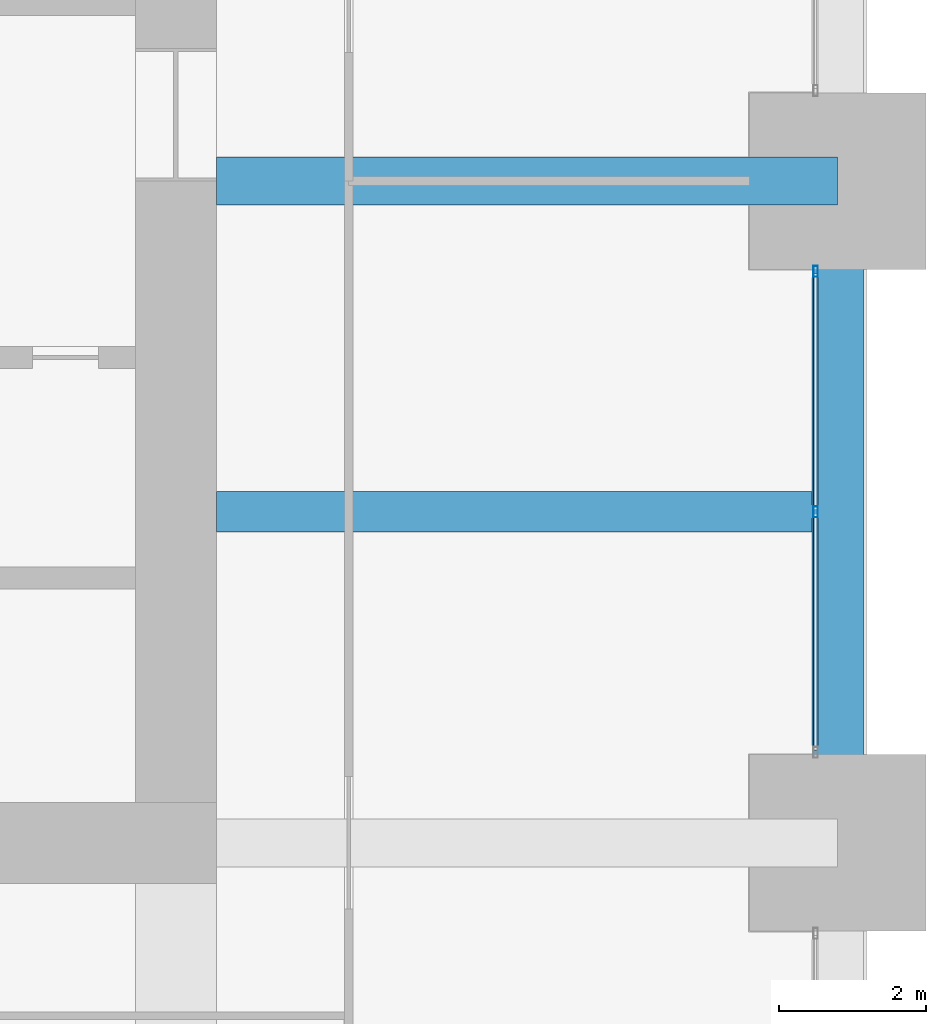
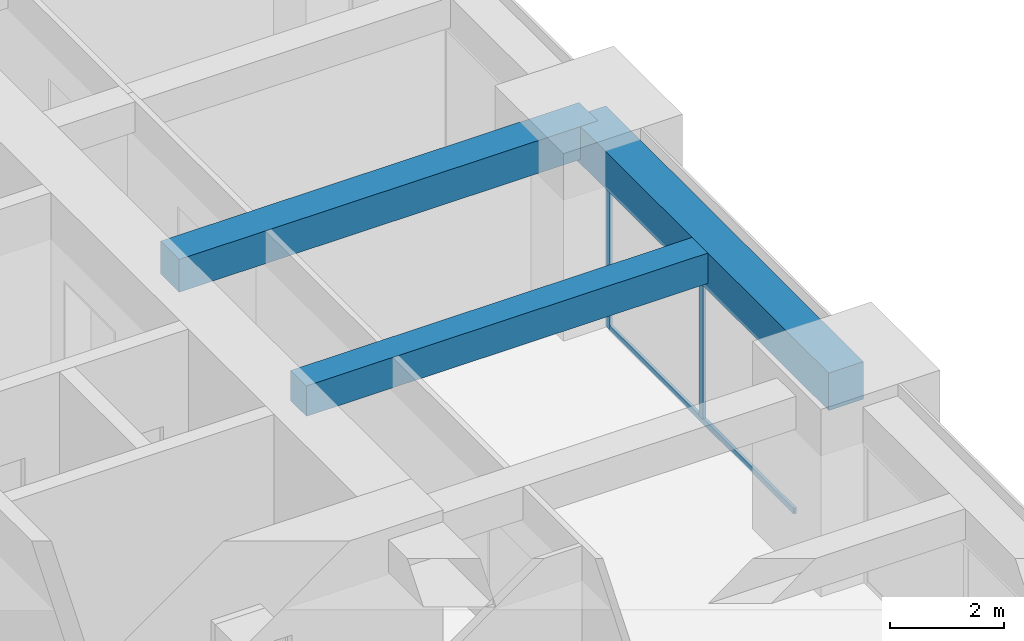
# One storey, part 18 of 33: 3 beams, 3 members, 1 element without a shape of its own.
"""IFC4 building model written with IfcOpenShell, lengths in metres."""

from ifc_helpers import new_model, si_unit, direction, frame, origin, origin_2d, place, context, subcontext, project, spatial, rectangle, hollow_rectangle, extrude, material, material_profile, profile_set, type_object, element, aggregate, save


model = new_model("IFC4")

# Units and contexts
model_context = context("Model", 3, precision=1e-05, world=origin(), true_north=direction((0.0, 1.0)))
body_context = subcontext(model_context, "Body", "Model", "MODEL_VIEW")
ifc_project = project(units=[si_unit("LENGTHUNIT", "METRE"), si_unit("AREAUNIT", "SQUARE_METRE"), si_unit("VOLUMEUNIT", "CUBIC_METRE"), si_unit("PLANEANGLEUNIT", "RADIAN"), si_unit("MASSUNIT", "GRAM", prefix="KILO")], contexts=[model_context])

# Site, building, storey
site_placement = place(None, origin())
site = spatial("IfcSite", under=ifc_project, at=site_placement, CompositionType="ELEMENT")
building_placement = place(site_placement, origin())
building = spatial("IfcBuilding", under=site, at=building_placement, Name="Zorevar Civic Tower", CompositionType="ELEMENT")
storey_placement = place(building_placement, frame((0.0, 0.0, 206.199951171875)))
storey = spatial("IfcBuildingStorey", under=building, at=storey_placement, Name="L50", CompositionType="ELEMENT", Elevation=206.199951171875)

# Beams
ifc_material_1 = material(Name="Concrete C50/60", Category="concrete")
ifc_material_profile_1 = material_profile(ifc_material_1, rectangle(XDim=0.550048828125, YDim=0.64990234375, at=origin_2d()), Name="RC 550x650")
ifc_profile_set_1 = profile_set([ifc_material_profile_1], Name="Concrete C50/60")
beam_type_1 = type_object("IfcBeamType", Name="Beam RC 550x650", PredefinedType="BEAM", material=ifc_profile_set_1)
beam_1_placement = place(storey_placement, frame((45.550048828125, 22.5, 3.425048828125), z_axis=(1.0, 0.0, 0.0), x_axis=(0.0, 1.0, 0.0)))
element("IfcBeam", 1, at=beam_1_placement, inside=storey, type_object=beam_type_1, Name="Secondary beam L51", PredefinedType="BEAM", context=body_context, shape_type="SweptSolid", body=[
    extrude(rectangle(XDim=0.550048828125, YDim=0.64990234375, at=origin_2d()), origin(), (0.0, 0.0, 1.0), 8.099853515625),
])
ifc_material_2 = material(Name="Concrete C50/60", Category="concrete")
ifc_material_profile_2 = material_profile(ifc_material_2, rectangle(XDim=0.64990234375, YDim=0.699951171875, at=origin_2d()), Name="RC 650x700")
ifc_profile_set_2 = profile_set([ifc_material_profile_2], Name="Concrete C50/60")
beam_type_2 = type_object("IfcBeamType", Name="Beam RC 650x700", PredefinedType="BEAM", material=ifc_profile_set_2)
beam_2_placement = place(storey_placement, frame((45.550048828125, 27.0, 3.400146484375), z_axis=(1.0, 0.0, 0.0), x_axis=(0.0, 1.0, 0.0)))
element("IfcBeam", 2, at=beam_2_placement, inside=storey, type_object=beam_type_2, Name="Girder L51", PredefinedType="BEAM", context=body_context, shape_type="SweptSolid", body=[
    extrude(rectangle(XDim=0.64990234375, YDim=0.699951171875, at=origin_2d()), origin(), (0.0, 0.0, 1.0), 8.449951171875),
])

# Curtain wall, members
ifc_material_3 = material(Name="Dark grey solar-control glass in black aluminium frame", Category="aluminium")
curtain_wall_type = type_object("IfcCurtainWallType", Name="Curtain wall CW4 high zone", PredefinedType="NOTDEFINED", material=ifc_material_3)
curtain_wall_placement = place(storey_placement, origin())
curtain_wall = element("IfcCurtainWall", 3, at=curtain_wall_placement, inside=storey, type_object=curtain_wall_type, Name="CW4 L50", PredefinedType="NOTDEFINED")
ifc_material_4 = material(Name="Aluminium, black anodised", Category="aluminium")
ifc_material_profile_3 = material_profile(ifc_material_4, hollow_rectangle(XDim=0.06005859375, YDim=0.14990234375, WallThickness=0.00390625, at=origin_2d()), Name="AL 150x60x4")
ifc_profile_set_3 = profile_set([ifc_material_profile_3], Name="Aluminium, black anodised")
member_type_1 = type_object("IfcMemberType", Name="CW4 mullion AL 150x60x4", PredefinedType="MULLION", material=ifc_profile_set_3)
member_1_placement = place(storey_placement, frame((53.699951171875, 22.5, 0.06005859375), z_axis=(0.0, 0.0, 1.0), x_axis=(-1.0, 0.0, 0.0)))
member_1 = element("IfcMember", 4, at=member_1_placement, type_object=member_type_1, Name="CW4 mullion 2", PredefinedType="MULLION", context=body_context, shape_type="SweptSolid", body=[
    extrude(hollow_rectangle(XDim=0.06005859375, YDim=0.14990234375, WallThickness=0.00390625, at=origin_2d()), origin(), (0.0, 0.0, 1.0), 2.889892578125),
])
member_2_placement = place(storey_placement, frame((53.699951171875, 25.77001953125, 0.0), z_axis=(0.0, 0.0, 1.0), x_axis=(-1.0, 0.0, 0.0)))
member_2 = element("IfcMember", 5, at=member_2_placement, type_object=member_type_1, Name="CW4 mullion 3", PredefinedType="MULLION", context=body_context, shape_type="SweptSolid", body=[
    extrude(hollow_rectangle(XDim=0.06005859375, YDim=0.14990234375, WallThickness=0.00390625, at=origin_2d()), origin(), (0.0, 0.0, 1.0), 2.949951171875),
])
ifc_material_5 = material(Name="Aluminium, black anodised", Category="aluminium")
ifc_material_profile_4 = material_profile(ifc_material_5, hollow_rectangle(XDim=0.06005859375, YDim=0.1201171875, WallThickness=0.0029296875, at=origin_2d()), Name="AL 120x60x3")
ifc_profile_set_4 = profile_set([ifc_material_profile_4], Name="Aluminium, black anodised")
member_type_2 = type_object("IfcMemberType", Name="CW4 transom AL 120x60x3", PredefinedType="USERDEFINED", material=ifc_profile_set_4)
member_3_placement = place(storey_placement, frame((53.699951171875, 19.260009765625, 0.030029296875), z_axis=(0.0, 1.0, 0.0), x_axis=(-1.0, 0.0, 0.0)))
member_3 = element("IfcMember", 6, at=member_3_placement, type_object=member_type_2, Name="CW4 sill transom", ObjectType="TRANSOM", PredefinedType="USERDEFINED", context=body_context, shape_type="SweptSolid", body=[
    extrude(hollow_rectangle(XDim=0.06005859375, YDim=0.1201171875, WallThickness=0.0029296875, at=origin_2d()), origin(), (0.0, 0.0, 1.0), 6.47998046875),
])
aggregate(curtain_wall, [member_1, member_2, member_3])

# Beam
ifc_material_6 = material(Name="Concrete C50/60", Category="concrete")
ifc_material_profile_5 = material_profile(ifc_material_6, rectangle(XDim=0.699951171875, YDim=0.800048828125, at=origin_2d()), Name="RC 700x800")
ifc_profile_set_5 = profile_set([ifc_material_profile_5], Name="Concrete C50/60")
beam_type_3 = type_object("IfcBeamType", Name="Edge beam RC 700x800", PredefinedType="SPANDREL", material=ifc_profile_set_5)
beam_3_placement = place(storey_placement, frame((54.0, 18.0, 3.35009765625), z_axis=(0.0, 1.0, 0.0), x_axis=(-1.0, 0.0, 0.0)))
element("IfcBeam", 7, at=beam_3_placement, inside=storey, type_object=beam_type_3, Name="Edge beam L51", PredefinedType="SPANDREL", context=body_context, shape_type="SweptSolid", body=[
    extrude(rectangle(XDim=0.699951171875, YDim=0.800048828125, at=origin_2d()), origin(), (0.0, 0.0, 1.0), 9.0),
])

save(model, "model.ifc")
